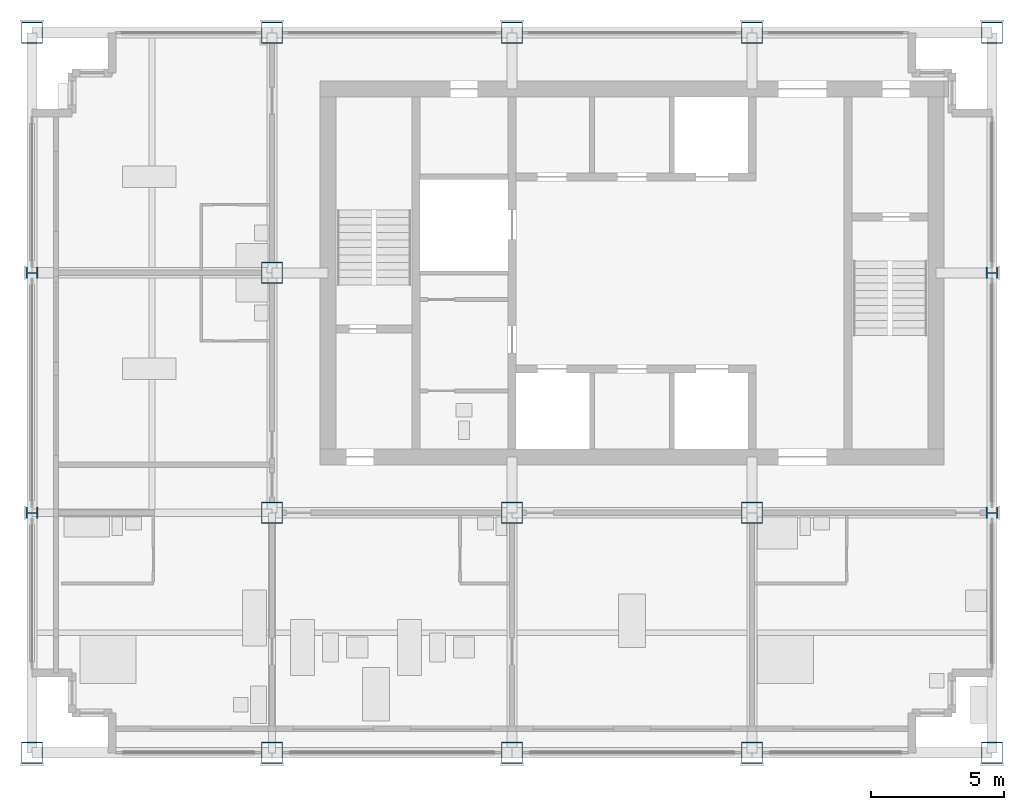
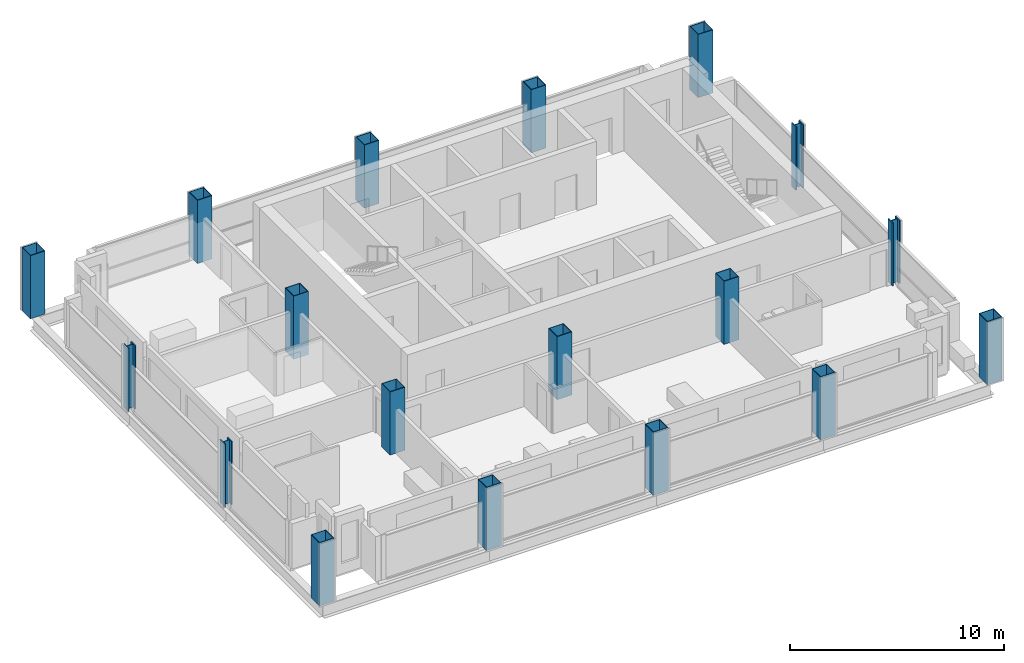
# One storey, part 1 of 11: 18 columns.
"""IFC4 building model written with IfcOpenShell, lengths in metres."""

from ifc_helpers import new_model, si_unit, direction, frame, origin, origin_2d, place, context, subcontext, project, spatial, hollow_rectangle, i_section, extrude, material, material_profile, profile_set, type_object, element, save


model = new_model("IFC4")

# Units and contexts
model_context = context("Model", 3, precision=1e-05, world=origin(), true_north=direction((0.0, 1.0)))
body_context = subcontext(model_context, "Body", "Model", "MODEL_VIEW")
ifc_project = project(units=[si_unit("LENGTHUNIT", "METRE"), si_unit("AREAUNIT", "SQUARE_METRE"), si_unit("VOLUMEUNIT", "CUBIC_METRE"), si_unit("PLANEANGLEUNIT", "RADIAN"), si_unit("MASSUNIT", "GRAM", prefix="KILO")], contexts=[model_context])

# Site, building, storey
site_placement = place(None, origin())
site = spatial("IfcSite", under=ifc_project, at=site_placement, CompositionType="ELEMENT")
building_placement = place(site_placement, origin())
building = spatial("IfcBuilding", under=site, at=building_placement, Name="Loomwork Tower", CompositionType="ELEMENT")
storey_placement = place(building_placement, frame((0.0, 0.0, 266.199951171875)))
storey = spatial("IfcBuildingStorey", under=building, at=storey_placement, Name="L73", CompositionType="ELEMENT", Elevation=266.199951171875)

# Columns
ifc_material_1 = material(Name="Steel ASTM A572 Grade 50 plate", Category="steel")
ifc_material_profile_1 = material_profile(ifc_material_1, hollow_rectangle(XDim=0.800048828125, YDim=0.800048828125, WallThickness=0.031982421875, at=origin_2d()), Name="BOX800x32")
ifc_profile_set_1 = profile_set([ifc_material_profile_1], Name="Steel ASTM A572 Grade 50 plate")
column_type_1 = type_object("IfcColumnType", Name="EXOSKELETON PIER BOX800x32", PredefinedType="COLUMN", material=ifc_profile_set_1)
for number, where, z_axis, x_axis, name in (
    (1, (0.0, 0.0, 0.0), (0.0, 0.0, 1.0), (1.0, 0.0, 0.0), "Exoskeleton Pier D/2 L73"),
    (2, (0.0, 27.0, 0.0), (0.0, 0.0, 1.0), (0.0, 1.0, 0.0), "Exoskeleton Pier G/2 L73"),
    (3, (9.0, 0.0, 0.0), (0.0, 0.0, 1.0), (1.0, 0.0, 0.0), "Exoskeleton Pier D/3 L73"),
    (4, (9.0, 27.0, 0.0), (0.0, 0.0, 1.0), (1.0, 0.0, 0.0), "Exoskeleton Pier G/3 L73"),
    (5, (18.0, 0.0, 0.0), (0.0, 0.0, 1.0), (1.0, 0.0, 0.0), "Exoskeleton Pier D/4 L73"),
    (6, (18.0, 27.0, 0.0), (0.0, 0.0, 1.0), (1.0, 0.0, 0.0), "Exoskeleton Pier G/4 L73"),
    (7, (27.0, 0.0, 0.0), (0.0, 0.0, 1.0), (1.0, 0.0, 0.0), "Exoskeleton Pier D/5 L73"),
    (8, (27.0, 27.0, 0.0), (0.0, 0.0, 1.0), (1.0, 0.0, 0.0), "Exoskeleton Pier G/5 L73"),
    (9, (36.0, 0.0, 0.0), (0.0, 0.0, 1.0), (1.0, 0.0, 0.0), "Exoskeleton Pier D/6 L73"),
    (10, (36.0, 27.0, 0.0), (0.0, 0.0, 1.0), (1.0, 0.0, 0.0), "Exoskeleton Pier G/6 L73"),
):
    element("IfcColumn", number, at=place(storey_placement, frame(where, z_axis=z_axis, x_axis=x_axis)), inside=storey, type_object=column_type_1, Name=name, PredefinedType="COLUMN", context=body_context, shape_type="SweptSolid", body=[
        extrude(hollow_rectangle(XDim=0.800048828125, YDim=0.800048828125, WallThickness=0.031982421875, at=origin_2d()), origin(), (0.0, 0.0, 1.0), 3.60009765625),
    ])
ifc_material_2 = material(Name="Steel ASTM A992", Category="steel")
ifc_material_profile_2 = material_profile(ifc_material_2, i_section(OverallWidth=0.41650390625, OverallDepth=0.444580078125, WebThickness=0.0390625, FlangeThickness=0.062744140625, at=origin_2d()), Name="W14x342")
ifc_profile_set_2 = profile_set([ifc_material_profile_2], Name="Steel ASTM A992")
column_type_2 = type_object("IfcColumnType", Name="EXOSKELETON PIER W14x342", PredefinedType="COLUMN", material=ifc_profile_set_2)
for number, where, z_axis, x_axis, name in (
    (11, (0.0, 9.0, 0.0), (0.0, 0.0, 1.0), (0.0, 1.0, 0.0), "Exoskeleton Pier E/2 L73"),
    (12, (0.0, 18.0, 0.0), (0.0, 0.0, 1.0), (0.0, 1.0, 0.0), "Exoskeleton Pier F/2 L73"),
    (13, (36.0, 9.0, 0.0), (0.0, 0.0, 1.0), (0.0, 1.0, 0.0), "Exoskeleton Pier E/6 L73"),
    (14, (36.0, 18.0, 0.0), (0.0, 0.0, 1.0), (0.0, 1.0, 0.0), "Exoskeleton Pier F/6 L73"),
):
    element("IfcColumn", number, at=place(storey_placement, frame(where, z_axis=z_axis, x_axis=x_axis)), inside=storey, type_object=column_type_2, Name=name, PredefinedType="COLUMN", context=body_context, shape_type="SweptSolid", body=[
        extrude(i_section(OverallWidth=0.41650390625, OverallDepth=0.444580078125, WebThickness=0.0390625, FlangeThickness=0.062744140625, at=origin_2d()), origin(), (0.0, 0.0, 1.0), 3.60009765625),
    ])
ifc_material_3 = material(Name="Steel ASTM A572 Grade 50 plate", Category="steel")
ifc_material_profile_3 = material_profile(ifc_material_3, hollow_rectangle(XDim=0.800048828125, YDim=0.800048828125, WallThickness=0.031982421875, at=origin_2d()), Name="BOX800x32")
ifc_profile_set_3 = profile_set([ifc_material_profile_3], Name="Steel ASTM A572 Grade 50 plate")
column_type_3 = type_object("IfcColumnType", Name="TOWER COLUMN BOX800x32", PredefinedType="COLUMN", material=ifc_profile_set_3)
for number, where, z_axis, x_axis, name in (
    (15, (9.0, 9.0, 0.0), (0.0, 0.0, 1.0), (1.0, 0.0, 0.0), "Tower Column E/3 L73"),
    (16, (9.0, 18.0, 0.0), (0.0, 0.0, 1.0), (1.0, 0.0, 0.0), "Tower Column F/3 L73"),
    (17, (18.0, 9.0, 0.0), (0.0, 0.0, 1.0), (1.0, 0.0, 0.0), "Tower Column E/4 L73"),
    (18, (27.0, 9.0, 0.0), (0.0, 0.0, 1.0), (1.0, 0.0, 0.0), "Tower Column E/5 L73"),
):
    element("IfcColumn", number, at=place(storey_placement, frame(where, z_axis=z_axis, x_axis=x_axis)), inside=storey, type_object=column_type_3, Name=name, PredefinedType="COLUMN", context=body_context, shape_type="SweptSolid", body=[
        extrude(hollow_rectangle(XDim=0.800048828125, YDim=0.800048828125, WallThickness=0.031982421875, at=origin_2d()), origin(), (0.0, 0.0, 1.0), 3.60009765625),
    ])

save(model, "model.ifc")
